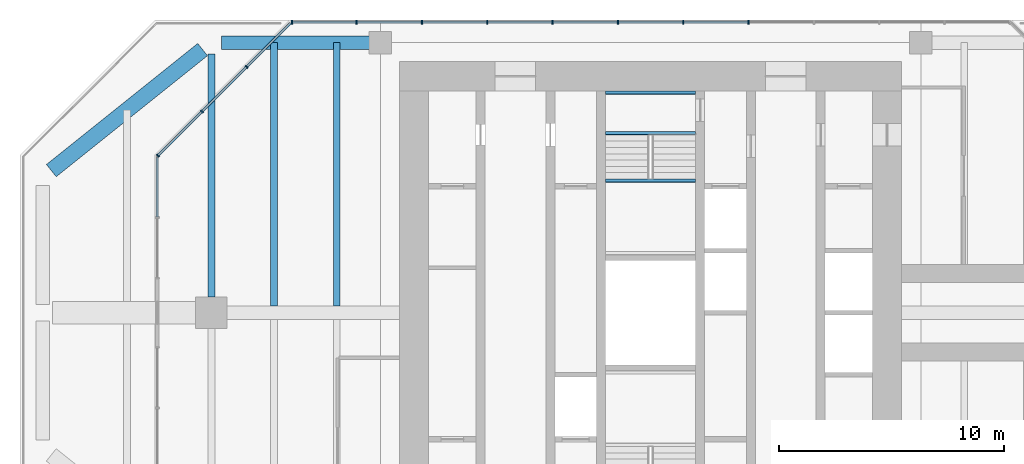
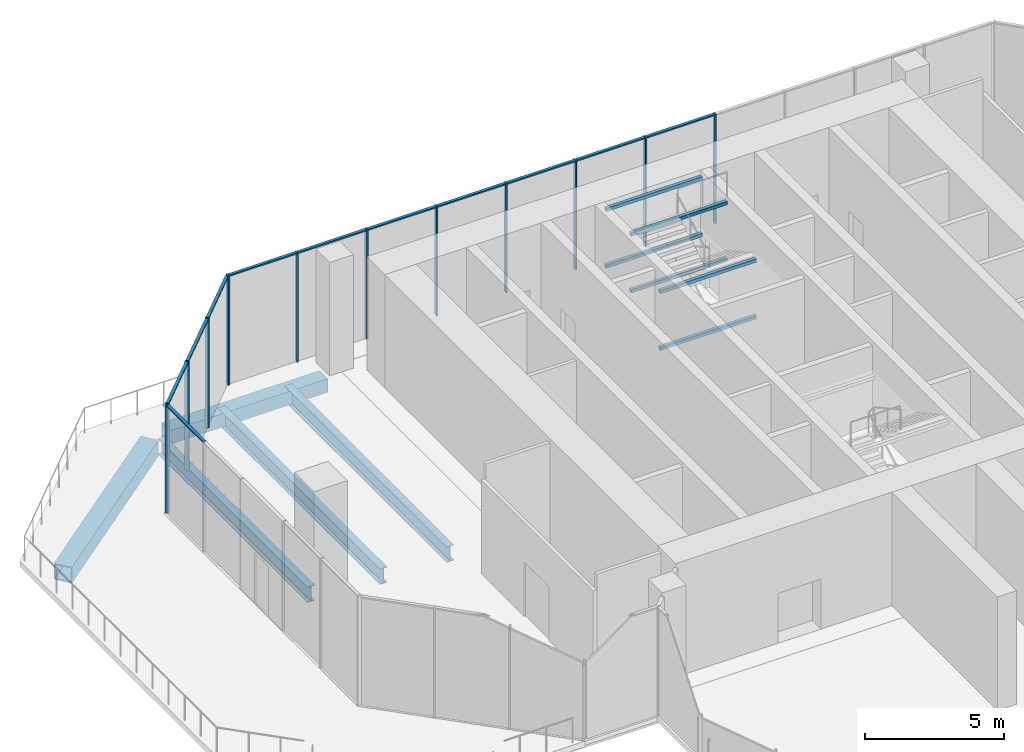
# One storey, part 6 of 13: 22 members, 11 beams, 3 elements without a shape of their own.
"""IFC4 building model written with IfcOpenShell, lengths in metres."""

import ifcopenshell
import ifcopenshell.guid

model = None  # the IFC model being written
_history = None  # IfcOwnerHistory: only IFC2X3 demands one
_inside = {}  # id of a spatial element -> (the spatial element, [elements in it])
_under = {}  # id of a project, library or spatial element -> (it, [spatial elements below it])
_declared = {}  # id of a project -> (the project, [libraries it declares])
_typed = {}  # id of a type object -> (the type object, [elements of that type])
_made_of = {}  # id of a material, layer set ... -> (it, [elements and type objects made of it])


def new_model(schema):
    """Start an empty IFC model of exactly this schema.

    Asked for "IFC4X3", IfcOpenShell would pick the latest addendum, in which some entities
    have other attributes; the version numbers below select the first issue.
    IFC2X3 requires an IfcOwnerHistory on every rooted entity: one is made here for all.
    """
    global model, _history
    if schema == "IFC4X3":
        model = ifcopenshell.file(schema_version=(4, 3, 0, 0))
    else:
        model = ifcopenshell.file(schema=schema)
    _inside.clear()
    _under.clear()
    _declared.clear()
    _typed.clear()
    _made_of.clear()
    _history = None
    if model.schema == "IFC2X3":
        org = make("IfcOrganization", Name="unknown")
        user = make(
            "IfcPersonAndOrganization",
            ThePerson=make("IfcPerson", FamilyName="unknown"),
            TheOrganization=org,
        )
        app = make(
            "IfcApplication",
            ApplicationDeveloper=org,
            Version="unknown",
            ApplicationFullName="unknown",
            ApplicationIdentifier="unknown",
        )
        _history = make(
            "IfcOwnerHistory",
            OwningUser=user,
            OwningApplication=app,
            ChangeAction="ADDED",
            CreationDate=0,
        )
    return model


def make(cls, **values):
    """One entity of the class cls with the attributes given. An attribute that is None is left unset."""
    return model.create_entity(
        cls, **{name: value for name, value in values.items() if value is not None}
    )


def rooted(cls, **values):
    """An entity with a GlobalId (a new one), such as an element, a storey or a relation."""
    return make(cls, GlobalId=ifcopenshell.guid.new(), OwnerHistory=_history, **values)


def si_unit(unit_type, name, prefix=None):
    """IfcSIUnit, for example si_unit("LENGTHUNIT", "METRE", prefix="MILLI")."""
    return make("IfcSIUnit", UnitType=unit_type, Prefix=prefix, Name=name)


def assignment(units):
    """IfcUnitAssignment: the units of a project."""
    return None if units is None else make("IfcUnitAssignment", Units=units)


def point(xyz):
    """IfcCartesianPoint."""
    return None if xyz is None else make("IfcCartesianPoint", Coordinates=xyz)


def direction(xyz):
    """IfcDirection."""
    return None if xyz is None else make("IfcDirection", DirectionRatios=xyz)


def frame(location, z_axis=None, x_axis=None):
    """IfcAxis2Placement3D, a coordinate frame: its origin and axes. An axis left out is left unset."""
    return make(
        "IfcAxis2Placement3D",
        Location=point(location),
        Axis=direction(z_axis),
        RefDirection=direction(x_axis),
    )


def frame_2d(location, x_axis=None):
    """IfcAxis2Placement2D, a coordinate frame in the plane: its origin and x axis."""
    return make(
        "IfcAxis2Placement2D", Location=point(location), RefDirection=direction(x_axis)
    )


def origin():
    """The frame at (0, 0, 0) with its axes left unset."""
    return frame((0.0, 0.0, 0.0))


def origin_2d():
    """The frame at (0, 0) in the plane with its x axis left unset."""
    return frame_2d((0.0, 0.0))


def place(relative_to, where):
    """IfcLocalPlacement: puts the frame where relative to a parent placement (None: the world)."""
    return make(
        "IfcLocalPlacement", PlacementRelTo=relative_to, RelativePlacement=where
    )


def context(
    kind, dimensions, precision=None, world=None, true_north=None, identifier=None
):
    """IfcGeometricRepresentationContext, for example the 3D "Model" context."""
    return make(
        "IfcGeometricRepresentationContext",
        ContextIdentifier=identifier,
        ContextType=kind,
        CoordinateSpaceDimension=dimensions,
        Precision=precision,
        WorldCoordinateSystem=world,
        TrueNorth=true_north,
    )


def subcontext(parent, identifier, kind, view, scale=None):
    """IfcGeometricRepresentationSubContext, for example "Body" below "Model"."""
    return make(
        "IfcGeometricRepresentationSubContext",
        ContextIdentifier=identifier,
        ContextType=kind,
        ParentContext=parent,
        TargetScale=scale,
        TargetView=view,
    )


def project(units=None, contexts=None):
    """IfcProject with its units and contexts."""
    return rooted(
        "IfcProject",
        Name="project",
        RepresentationContexts=contexts,
        UnitsInContext=assignment(units),
    )


def spatial(cls, under=None, at=None, **own):
    """A site, building, storey or space (cls), placed at a placement, below another one or the project."""
    s = rooted(cls, ObjectPlacement=at, **own)
    if under is not None:
        _under.setdefault(under.id(), (under, []))[1].append(s)
    return s


def profile(cls, at=None, kind="AREA", **sizes):
    """A parametric profile (cls). Its sizes go by their IFC names, for example OverallWidth=200.0."""
    return make(cls, ProfileType=kind, Position=at, **sizes)


def rectangle(**sizes):
    """IfcRectangleProfileDef."""
    return profile("IfcRectangleProfileDef", **sizes)


def hollow_rectangle(**sizes):
    """IfcRectangleHollowProfileDef."""
    return profile("IfcRectangleHollowProfileDef", **sizes)


def i_section(**sizes):
    """IfcIShapeProfileDef."""
    return profile("IfcIShapeProfileDef", **sizes)


def extrude(swept, where, along, depth):
    """IfcExtrudedAreaSolid: the profile swept, set in the frame where, extruded along a direction by depth."""
    return make(
        "IfcExtrudedAreaSolid",
        SweptArea=swept,
        Position=where,
        ExtrudedDirection=direction(along),
        Depth=depth,
    )


def shape(context_of_items, identifier, shape_type, items):
    """IfcShapeRepresentation: the items that make up one representation, for example the "Body"."""
    return make(
        "IfcShapeRepresentation",
        ContextOfItems=context_of_items,
        RepresentationIdentifier=identifier,
        RepresentationType=shape_type,
        Items=items,
    )


def material(Name=None, Category=None):
    """IfcMaterial."""
    return make("IfcMaterial", Name=Name, Category=Category)


def material_profile(
    of_material, cross_section, Name=None, Category=None, Priority=None
):
    """IfcMaterialProfile: a cross section and its material."""
    return make(
        "IfcMaterialProfile",
        Name=Name,
        Material=of_material,
        Profile=cross_section,
        Priority=Priority,
        Category=Category,
    )


def profile_set(profiles, Name=None, composite=None):
    """IfcMaterialProfileSet."""
    return make(
        "IfcMaterialProfileSet",
        Name=Name,
        MaterialProfiles=profiles,
        CompositeProfile=composite,
    )


def made_of(thing, what):
    """Note that an element or type object is made of a material, layer set ...; save() writes the relation."""
    if what is not None:
        _made_of.setdefault(what.id(), (what, []))[1].append(thing)
    return thing


def type_object(cls, material=None, **own):
    """A type object (cls), such as IfcWallType, which elements share."""
    return made_of(rooted(cls, **own), material)


def element(
    cls,
    number,
    at=None,
    inside=None,
    cuts=None,
    type_object=None,
    material=None,
    context=None,
    identifier="Body",
    shape_type=None,
    held_by="IfcProductDefinitionShape",
    body=None,
    shapes=None,
    **own,
):
    """One element of the class cls, such as IfcWall. Its Tag is "e" and its number.

    at: its placement. inside: the storey or other place that contains it. cuts: it is an
    opening in that element (IfcRelVoidsElement). A single representation is given by context,
    identifier, shape_type and body (its items); several are given by shapes. held_by: the class
    of the entity that holds the representations. save() writes the other relations.
    """
    e = rooted(cls, Tag="e%d" % number, ObjectPlacement=at, **own)
    if body is not None:
        shapes = [shape(context, identifier, shape_type, body)]
    if shapes is not None:
        e.Representation = make(held_by, Representations=shapes)
    if inside is not None:
        _inside.setdefault(inside.id(), (inside, []))[1].append(e)
    if cuts is not None:
        rooted(
            "IfcRelVoidsElement", RelatingBuildingElement=cuts, RelatedOpeningElement=e
        )
    if type_object is not None:
        _typed.setdefault(type_object.id(), (type_object, []))[1].append(e)
    return made_of(e, material)


def aggregate(whole, parts):
    """IfcRelAggregates: a whole, such as a stair, and the parts it consists of."""
    return rooted("IfcRelAggregates", RelatingObject=whole, RelatedObjects=parts)


def save(model, path):
    """Write the relations noted so far, then the file.

    IfcRelAggregates (storeys below a building ...), IfcRelContainedInSpatialStructure (elements
    in a storey), IfcRelDefinesByType, IfcRelAssociatesMaterial and IfcRelDeclares: one each for
    every whole, place, type object, material and project.
    """
    for whole, parts in _under.values():
        aggregate(whole, parts)
    for where, things in _inside.values():
        rooted(
            "IfcRelContainedInSpatialStructure",
            RelatedElements=things,
            RelatingStructure=where,
        )
    for kind, things in _typed.values():
        rooted("IfcRelDefinesByType", RelatedObjects=things, RelatingType=kind)
    for what, things in _made_of.values():
        rooted("IfcRelAssociatesMaterial", RelatedObjects=things, RelatingMaterial=what)
    for by, libraries in _declared.values():
        rooted("IfcRelDeclares", RelatingContext=by, RelatedDefinitions=libraries)
    model.write(path)


model = new_model("IFC4")

# Units and contexts
model_context = context("Model", 3, precision=1e-05, world=origin(), true_north=direction((0.0, 1.0)))
body_context = subcontext(model_context, "Body", "Model", "MODEL_VIEW")
ifc_project = project(units=[si_unit("LENGTHUNIT", "METRE"), si_unit("AREAUNIT", "SQUARE_METRE"), si_unit("VOLUMEUNIT", "CUBIC_METRE"), si_unit("PLANEANGLEUNIT", "RADIAN"), si_unit("MASSUNIT", "GRAM", prefix="KILO")], contexts=[model_context])

# Site, building, storey
site_placement = place(None, origin())
site = spatial("IfcSite", under=ifc_project, at=site_placement, CompositionType="ELEMENT")
building_placement = place(site_placement, origin())
building = spatial("IfcBuilding", under=site, at=building_placement, Name="Mizan Broadcast Tower", CompositionType="ELEMENT")
storey_placement = place(building_placement, frame((0.0, 0.0, 306.300048828125)))
storey = spatial("IfcBuildingStorey", under=building, at=storey_placement, Name="L73", CompositionType="ELEMENT", Elevation=306.300048828125)

# Beams
ifc_material_1 = material(Name="Steel S355", Category="steel")
ifc_material_profile_1 = material_profile(ifc_material_1, hollow_rectangle(XDim=0.60009765625, YDim=0.60009765625, WallThickness=0.0400390625, at=origin_2d()), Name="BOX 600x600x40")
ifc_profile_set_1 = profile_set([ifc_material_profile_1], Name="Steel S355")
beam_type_1 = type_object("IfcBeamType", Name="EDGE BEAM BOX 600x600x40", PredefinedType="SPANDREL", material=ifc_profile_set_1)
beam_1_placement = place(storey_placement, frame((-12.449951171875, 12.0, -0.550048828125), z_axis=(-1.0, 0.0, 0.0), x_axis=(0.0, -1.0, 0.0)))
element("IfcBeam", 1, at=beam_1_placement, inside=storey, type_object=beam_type_1, Name="Edge beam BOX 600x600x40 L73 west arm", PredefinedType="SPANDREL", context=body_context, shape_type="SweptSolid", body=[
    extrude(hollow_rectangle(XDim=0.60009765625, YDim=0.60009765625, WallThickness=0.0400390625, at=origin_2d()), origin(), (0.0, 0.0, 1.0), 6.60009765625),
])
ifc_material_2 = material(Name="Steel S355", Category="steel")
ifc_material_profile_2 = material_profile(ifc_material_2, hollow_rectangle(XDim=0.699951171875, YDim=0.699951171875, WallThickness=0.0400390625, at=origin_2d()), Name="BOX 700x700x40")
ifc_profile_set_2 = profile_set([ifc_material_profile_2], Name="Steel S355")
beam_type_2 = type_object("IfcBeamType", Name="EDGE BEAM BOX 700x700x40", PredefinedType="SPANDREL", material=ifc_profile_set_2)
beam_2_placement = place(storey_placement, frame((-19.890380859375, 11.687744140625, -0.60009765625), z_axis=(-0.780863273348, -0.62470196761, 0.0), x_axis=(0.62470196761, -0.780863273348, 0.0)))
element("IfcBeam", 2, at=beam_2_placement, inside=storey, type_object=beam_type_2, Name="Edge beam BOX 700x700x40 L73 west arm", PredefinedType="SPANDREL", context=body_context, shape_type="SweptSolid", body=[
    extrude(hollow_rectangle(XDim=0.699951171875, YDim=0.699951171875, WallThickness=0.0400390625, at=origin_2d()), origin(), (0.0, 0.0, 1.0), 8.60498046875),
])
ifc_material_3 = material(Name="Steel S355", Category="steel")
ifc_material_profile_3 = material_profile(ifc_material_3, i_section(OverallWidth=0.300048828125, OverallDepth=0.68994140625, WebThickness=0.014404296875, FlangeThickness=0.027099609375, FilletRadius=0.027099609375, at=origin_2d()), Name="HEA 700")
ifc_profile_set_3 = profile_set([ifc_material_profile_3], Name="Steel S355")
beam_type_3 = type_object("IfcBeamType", Name="GIRDER HEA 700", PredefinedType="BEAM", material=ifc_profile_set_3)
beam_3_placement = place(storey_placement, frame((-19.5, 11.5, -0.594970703125), z_axis=(0.0, -1.0, 0.0), x_axis=(1.0, 0.0, 0.0)))
element("IfcBeam", 3, at=beam_3_placement, inside=storey, type_object=beam_type_3, Name="Girder HEA 700 L73 west arm", PredefinedType="BEAM", context=body_context, shape_type="SweptSolid", body=[
    extrude(i_section(OverallWidth=0.300048828125, OverallDepth=0.68994140625, WebThickness=0.014404296875, FlangeThickness=0.027099609375, FilletRadius=0.027099609375, at=origin_2d()), origin(), (0.0, 0.0, 1.0), 10.800048828125),
])

# Curtain wall, members
ifc_material_4 = material(Name="Aluminium framed glazing", Category="aluminium")
curtain_wall_type = type_object("IfcCurtainWallType", Name="LANTERN", PredefinedType="USERDEFINED", material=ifc_material_4)
curtain_wall_1_placement = place(storey_placement, origin())
curtain_wall_1 = element("IfcCurtainWall", 4, at=curtain_wall_1_placement, inside=storey, type_object=curtain_wall_type, Name="Lantern L73 N end", ObjectType="LANTERN", PredefinedType="USERDEFINED")
ifc_material_5 = material(Name="Aluminium, pale anodised", Category="aluminium")
ifc_material_profile_4 = material_profile(ifc_material_5, rectangle(XDim=0.159912109375, YDim=0.06005859375, at=origin_2d()), Name="MULLION 160x60")
ifc_profile_set_4 = profile_set([ifc_material_profile_4], Name="Aluminium, pale anodised")
member_type_1 = type_object("IfcMemberType", Name="INNER SKIN MULLION 60x160", PredefinedType="MULLION", material=ifc_profile_set_4)
member_1_placement = place(storey_placement, frame((4.352294921875, 12.89990234375, 0.0), z_axis=(0.0, 0.0, 1.0), x_axis=(0.0, -1.0, 0.0)))
member_1 = element("IfcMember", 5, at=member_1_placement, type_object=member_type_1, Name="Lantern L73 N end mullion 5", PredefinedType="MULLION", context=body_context, shape_type="SweptSolid", body=[
    extrude(rectangle(XDim=0.159912109375, YDim=0.06005859375, at=origin_2d()), origin(), (0.0, 0.0, 1.0), 4.820068359375),
])
member_2_placement = place(storey_placement, frame((1.45068359375, 12.89990234375, 0.0), z_axis=(0.0, 0.0, 1.0), x_axis=(0.0, -1.0, 0.0)))
member_2 = element("IfcMember", 6, at=member_2_placement, type_object=member_type_1, Name="Lantern L73 N end mullion 6", PredefinedType="MULLION", context=body_context, shape_type="SweptSolid", body=[
    extrude(rectangle(XDim=0.159912109375, YDim=0.06005859375, at=origin_2d()), origin(), (0.0, 0.0, 1.0), 4.820068359375),
])
member_3_placement = place(storey_placement, frame((-1.45068359375, 12.89990234375, 0.0), z_axis=(0.0, 0.0, 1.0), x_axis=(0.0, -1.0, 0.0)))
member_3 = element("IfcMember", 7, at=member_3_placement, type_object=member_type_1, Name="Lantern L73 N end mullion 7", PredefinedType="MULLION", context=body_context, shape_type="SweptSolid", body=[
    extrude(rectangle(XDim=0.159912109375, YDim=0.06005859375, at=origin_2d()), origin(), (0.0, 0.0, 1.0), 4.820068359375),
])
member_4_placement = place(storey_placement, frame((-4.352294921875, 12.89990234375, 0.0), z_axis=(0.0, 0.0, 1.0), x_axis=(0.0, -1.0, 0.0)))
member_4 = element("IfcMember", 8, at=member_4_placement, type_object=member_type_1, Name="Lantern L73 N end mullion 8", PredefinedType="MULLION", context=body_context, shape_type="SweptSolid", body=[
    extrude(rectangle(XDim=0.159912109375, YDim=0.06005859375, at=origin_2d()), origin(), (0.0, 0.0, 1.0), 4.820068359375),
])
member_5_placement = place(storey_placement, frame((-7.25390625, 12.89990234375, 0.0), z_axis=(0.0, 0.0, 1.0), x_axis=(0.0, -1.0, 0.0)))
member_5 = element("IfcMember", 9, at=member_5_placement, type_object=member_type_1, Name="Lantern L73 N end mullion 9", PredefinedType="MULLION", context=body_context, shape_type="SweptSolid", body=[
    extrude(rectangle(XDim=0.159912109375, YDim=0.06005859375, at=origin_2d()), origin(), (0.0, 0.0, 1.0), 4.820068359375),
])
member_6_placement = place(storey_placement, frame((-10.155517578125, 12.89990234375, 0.0), z_axis=(0.0, 0.0, 1.0), x_axis=(0.0, -1.0, 0.0)))
member_6 = element("IfcMember", 10, at=member_6_placement, type_object=member_type_1, Name="Lantern L73 N end mullion 10", PredefinedType="MULLION", context=body_context, shape_type="SweptSolid", body=[
    extrude(rectangle(XDim=0.159912109375, YDim=0.06005859375, at=origin_2d()), origin(), (0.0, 0.0, 1.0), 4.820068359375),
])
member_7_placement = place(storey_placement, frame((-13.05712890625, 12.89990234375, 0.0), z_axis=(0.0, 0.0, 1.0), x_axis=(0.0, -1.0, 0.0)))
member_7 = element("IfcMember", 11, at=member_7_placement, type_object=member_type_1, Name="Lantern L73 N end mullion 11", PredefinedType="MULLION", context=body_context, shape_type="SweptSolid", body=[
    extrude(rectangle(XDim=0.159912109375, YDim=0.06005859375, at=origin_2d()), origin(), (0.0, 0.0, 1.0), 4.820068359375),
])
member_8_placement = place(storey_placement, frame((-15.928466796875, 12.89990234375, 0.0), z_axis=(0.0, 0.0, 1.0), x_axis=(0.0, -1.0, 0.0)))
member_8 = element("IfcMember", 12, at=member_8_placement, type_object=member_type_1, Name="Lantern L73 N end mullion 12", PredefinedType="MULLION", context=body_context, shape_type="SweptSolid", body=[
    extrude(rectangle(XDim=0.159912109375, YDim=0.06005859375, at=origin_2d()), origin(), (0.0, 0.0, 1.0), 4.820068359375),
])

curtain_wall_2_placement = place(storey_placement, origin())
curtain_wall_2 = element("IfcCurtainWall", 13, at=curtain_wall_2_placement, inside=storey, type_object=curtain_wall_type, Name="Lantern L73 W chamfer", ObjectType="LANTERN", PredefinedType="USERDEFINED")
member_9_placement = place(storey_placement, frame((-17.93896484375, 10.91943359375, 0.0), z_axis=(0.0, 0.0, 1.0), x_axis=(0.707106781187, -0.707106781187, 0.0)))
member_9 = element("IfcMember", 14, at=member_9_placement, type_object=member_type_1, Name="Lantern L73 W chamfer mullion 2", PredefinedType="MULLION", context=body_context, shape_type="SweptSolid", body=[
    extrude(rectangle(XDim=0.159912109375, YDim=0.06005859375, at=origin_2d()), origin(), (0.0, 0.0, 1.0), 4.820068359375),
])
member_10_placement = place(storey_placement, frame((-19.91943359375, 8.93896484375, 0.0), z_axis=(0.0, 0.0, 1.0), x_axis=(0.707106781187, -0.707106781187, 0.0)))
member_10 = element("IfcMember", 15, at=member_10_placement, type_object=member_type_1, Name="Lantern L73 W chamfer mullion 3", PredefinedType="MULLION", context=body_context, shape_type="SweptSolid", body=[
    extrude(rectangle(XDim=0.159912109375, YDim=0.06005859375, at=origin_2d()), origin(), (0.0, 0.0, 1.0), 4.820068359375),
])
member_11_placement = place(storey_placement, frame((-21.87890625, 6.979736328125, 0.0), z_axis=(0.0, 0.0, 1.0), x_axis=(0.707106781187, -0.707106781187, 0.0)))
member_11 = element("IfcMember", 16, at=member_11_placement, type_object=member_type_1, Name="Lantern L73 W chamfer mullion 4", PredefinedType="MULLION", context=body_context, shape_type="SweptSolid", body=[
    extrude(rectangle(XDim=0.159912109375, YDim=0.06005859375, at=origin_2d()), origin(), (0.0, 0.0, 1.0), 4.820068359375),
])

# Member
ifc_material_6 = material(Name="Aluminium, pale anodised", Category="aluminium")
ifc_material_profile_5 = material_profile(ifc_material_6, rectangle(XDim=0.1201171875, YDim=0.06005859375, at=origin_2d()), Name="TRANSOM 120x60")
ifc_profile_set_5 = profile_set([ifc_material_profile_5], Name="Aluminium, pale anodised")
member_type_2 = type_object("IfcMemberType", Name="INNER SKIN TRANSOM 60x120", PredefinedType="USERDEFINED", material=ifc_profile_set_5)
member_12_placement = place(storey_placement, frame((4.322265625, 12.89990234375, 4.7900390625), z_axis=(-1.0, 0.0, 0.0), x_axis=(0.0, -1.0, 0.0)))
member_12 = element("IfcMember", 17, at=member_12_placement, type_object=member_type_2, Name="Lantern L73 N end transom 5.1", ObjectType="TRANSOM", PredefinedType="USERDEFINED", context=body_context, shape_type="SweptSolid", body=[
    extrude(rectangle(XDim=0.1201171875, YDim=0.06005859375, at=origin_2d()), origin(), (0.0, 0.0, 1.0), 2.841552734375),
])

member_13_placement = place(storey_placement, frame((1.4208984375, 12.89990234375, 4.7900390625), z_axis=(-1.0, 0.0, 0.0), x_axis=(0.0, -1.0, 0.0)))
member_13 = element("IfcMember", 18, at=member_13_placement, type_object=member_type_2, Name="Lantern L73 N end transom 6.1", ObjectType="TRANSOM", PredefinedType="USERDEFINED", context=body_context, shape_type="SweptSolid", body=[
    extrude(rectangle(XDim=0.1201171875, YDim=0.06005859375, at=origin_2d()), origin(), (0.0, 0.0, 1.0), 2.841796875),
])

member_14_placement = place(storey_placement, frame((-1.480712890625, 12.89990234375, 4.7900390625), z_axis=(-1.0, 0.0, 0.0), x_axis=(0.0, -1.0, 0.0)))
member_14 = element("IfcMember", 19, at=member_14_placement, type_object=member_type_2, Name="Lantern L73 N end transom 7.1", ObjectType="TRANSOM", PredefinedType="USERDEFINED", context=body_context, shape_type="SweptSolid", body=[
    extrude(rectangle(XDim=0.1201171875, YDim=0.06005859375, at=origin_2d()), origin(), (0.0, 0.0, 1.0), 2.841552734375),
])

member_15_placement = place(storey_placement, frame((-4.38232421875, 12.89990234375, 4.7900390625), z_axis=(-1.0, 0.0, 0.0), x_axis=(0.0, -1.0, 0.0)))
member_15 = element("IfcMember", 20, at=member_15_placement, type_object=member_type_2, Name="Lantern L73 N end transom 8.1", ObjectType="TRANSOM", PredefinedType="USERDEFINED", context=body_context, shape_type="SweptSolid", body=[
    extrude(rectangle(XDim=0.1201171875, YDim=0.06005859375, at=origin_2d()), origin(), (0.0, 0.0, 1.0), 2.841552734375),
])

member_16_placement = place(storey_placement, frame((-7.283935546875, 12.89990234375, 4.7900390625), z_axis=(-1.0, 0.0, 0.0), x_axis=(0.0, -1.0, 0.0)))
member_16 = element("IfcMember", 21, at=member_16_placement, type_object=member_type_2, Name="Lantern L73 N end transom 9.1", ObjectType="TRANSOM", PredefinedType="USERDEFINED", context=body_context, shape_type="SweptSolid", body=[
    extrude(rectangle(XDim=0.1201171875, YDim=0.06005859375, at=origin_2d()), origin(), (0.0, 0.0, 1.0), 2.841552734375),
])

member_17_placement = place(storey_placement, frame((-10.185546875, 12.89990234375, 4.7900390625), z_axis=(-1.0, 0.0, 0.0), x_axis=(0.0, -1.0, 0.0)))
member_17 = element("IfcMember", 22, at=member_17_placement, type_object=member_type_2, Name="Lantern L73 N end transom 10.1", ObjectType="TRANSOM", PredefinedType="USERDEFINED", context=body_context, shape_type="SweptSolid", body=[
    extrude(rectangle(XDim=0.1201171875, YDim=0.06005859375, at=origin_2d()), origin(), (0.0, 0.0, 1.0), 2.841552734375),
])

member_18_placement = place(storey_placement, frame((-13.0869140625, 12.89990234375, 4.7900390625), z_axis=(-1.0, 0.0, 0.0), x_axis=(0.0, -1.0, 0.0)))
member_18 = element("IfcMember", 23, at=member_18_placement, type_object=member_type_2, Name="Lantern L73 N end transom 11.1", ObjectType="TRANSOM", PredefinedType="USERDEFINED", context=body_context, shape_type="SweptSolid", body=[
    extrude(rectangle(XDim=0.1201171875, YDim=0.06005859375, at=origin_2d()), origin(), (0.0, 0.0, 1.0), 2.811767578125),
])

aggregate(curtain_wall_1, [member_1, member_2, member_3, member_4, member_5, member_6, member_7, member_8, member_12, member_13, member_14, member_15, member_16, member_17, member_18])

member_19_placement = place(storey_placement, frame((-16.0009765625, 12.857666015625, 4.7900390625), z_axis=(-0.707061749709, -0.707151809797, 0.0), x_axis=(0.707151809797, -0.707061749709, 0.0)))
member_19 = element("IfcMember", 24, at=member_19_placement, type_object=member_type_2, Name="Lantern L73 W chamfer transom 1.1", ObjectType="TRANSOM", PredefinedType="USERDEFINED", context=body_context, shape_type="SweptSolid", body=[
    extrude(rectangle(XDim=0.1201171875, YDim=0.06005859375, at=origin_2d()), origin(), (0.0, 0.0, 1.0), 2.7109375),
])

member_20_placement = place(storey_placement, frame((-17.960205078125, 10.898193359375, 4.7900390625), z_axis=(-0.707106781187, -0.707106781187, 0.0), x_axis=(0.707106781187, -0.707106781187, 0.0)))
member_20 = element("IfcMember", 25, at=member_20_placement, type_object=member_type_2, Name="Lantern L73 W chamfer transom 2.1", ObjectType="TRANSOM", PredefinedType="USERDEFINED", context=body_context, shape_type="SweptSolid", body=[
    extrude(rectangle(XDim=0.1201171875, YDim=0.06005859375, at=origin_2d()), origin(), (0.0, 0.0, 1.0), 2.74072265625),
])

member_21_placement = place(storey_placement, frame((-19.940673828125, 8.917724609375, 4.7900390625), z_axis=(-0.707151809797, -0.707061749709, 0.0), x_axis=(0.707061749709, -0.707151809797, 0.0)))
member_21 = element("IfcMember", 26, at=member_21_placement, type_object=member_type_2, Name="Lantern L73 W chamfer transom 3.1", ObjectType="TRANSOM", PredefinedType="USERDEFINED", context=body_context, shape_type="SweptSolid", body=[
    extrude(rectangle(XDim=0.1201171875, YDim=0.06005859375, at=origin_2d()), origin(), (0.0, 0.0, 1.0), 2.7109375),
])

aggregate(curtain_wall_2, [member_9, member_10, member_11, member_19, member_20, member_21])

# Curtain wall, member
curtain_wall_3_placement = place(storey_placement, origin())
curtain_wall_3 = element("IfcCurtainWall", 27, at=curtain_wall_3_placement, inside=storey, type_object=curtain_wall_type, Name="Lantern L73 W end", ObjectType="LANTERN", PredefinedType="USERDEFINED")
member_22_placement = place(storey_placement, frame((-21.89990234375, 6.898681640625, 4.7900390625), z_axis=(0.0, -1.0, 0.0), x_axis=(1.0, 0.0, 0.0)))
member_22 = element("IfcMember", 28, at=member_22_placement, type_object=member_type_2, Name="Lantern L73 W end transom 1.1", ObjectType="TRANSOM", PredefinedType="USERDEFINED", context=body_context, shape_type="SweptSolid", body=[
    extrude(rectangle(XDim=0.1201171875, YDim=0.06005859375, at=origin_2d()), origin(), (0.0, 0.0, 1.0), 2.639404296875),
])
aggregate(curtain_wall_3, [member_22])

# Beams
ifc_material_7 = material(Name="Steel S355", Category="steel")
ifc_material_profile_6 = material_profile(ifc_material_7, hollow_rectangle(XDim=0.14990234375, YDim=0.14990234375, WallThickness=0.008056640625, InnerFilletRadius=0.008056640625, OuterFilletRadius=0.011962890625, at=origin_2d()), Name="SHS 150x150x8")
ifc_profile_set_6 = profile_set([ifc_material_profile_6], Name="Steel S355")
beam_type_4 = type_object("IfcBeamType", Name="LANDING TRIMMER SHS 150x150x8", PredefinedType="BEAM", material=ifc_profile_set_6)
for number, where, z_axis, x_axis, name in (
    (29, (2.0, 5.864990234375, 0.974853515625), (-1.0, 0.0, 0.0), (0.0, -1.0, 0.0), "Stair B landing trimmer L73"),
    (30, (2.0, 9.77490234375, 2.224853515625), (-1.0, 0.0, 0.0), (0.0, -1.0, 0.0), "Stair B landing trimmer L73"),
    (31, (2.0, 7.97509765625, 2.224853515625), (-1.0, 0.0, 0.0), (0.0, -1.0, 0.0), "Stair B landing trimmer L73"),
    (32, (2.0, 5.864990234375, 3.474853515625), (-1.0, 0.0, 0.0), (0.0, -1.0, 0.0), "Stair B landing trimmer L73"),
    (33, (2.0, 9.77490234375, 4.724853515625), (-1.0, 0.0, 0.0), (0.0, -1.0, 0.0), "Stair B landing trimmer L73"),
    (34, (2.0, 7.97509765625, 4.724853515625), (-1.0, 0.0, 0.0), (0.0, -1.0, 0.0), "Stair B landing trimmer L73"),
):
    element("IfcBeam", number, at=place(storey_placement, frame(where, z_axis=z_axis, x_axis=x_axis)), inside=storey, type_object=beam_type_4, Name=name, PredefinedType="BEAM", context=body_context, shape_type="SweptSolid", body=[
        extrude(hollow_rectangle(XDim=0.14990234375, YDim=0.14990234375, WallThickness=0.008056640625, InnerFilletRadius=0.008056640625, OuterFilletRadius=0.011962890625, at=origin_2d()), origin(), (0.0, 0.0, 1.0), 4.0),
    ])
ifc_material_8 = material(Name="Steel S355", Category="steel")
ifc_material_profile_7 = material_profile(ifc_material_8, i_section(OverallWidth=0.300048828125, OverallDepth=0.68994140625, WebThickness=0.014404296875, FlangeThickness=0.027099609375, FilletRadius=0.027099609375, at=origin_2d()), Name="HEA 700")
ifc_profile_set_7 = profile_set([ifc_material_profile_7], Name="Steel S355")
beam_type_5 = type_object("IfcBeamType", Name="SECONDARY BEAM HEA 700", PredefinedType="JOIST", material=ifc_profile_set_7)
for number, where, z_axis, x_axis, name in (
    (35, (-13.933349609375, 12.0, -0.525146484375), (0.0, -1.0, 0.0), (1.0, 0.0, 0.0), "Secondary beam HEA 700 L73 west arm"),
    (36, (-16.716552734375, 12.0, -0.525146484375), (0.0, -1.0, 0.0), (1.0, 0.0, 0.0), "Secondary beam HEA 700 L73 west arm"),
):
    element("IfcBeam", number, at=place(storey_placement, frame(where, z_axis=z_axis, x_axis=x_axis)), inside=storey, type_object=beam_type_5, Name=name, PredefinedType="JOIST", context=body_context, shape_type="SweptSolid", body=[
        extrude(i_section(OverallWidth=0.300048828125, OverallDepth=0.68994140625, WebThickness=0.014404296875, FlangeThickness=0.027099609375, FilletRadius=0.027099609375, at=origin_2d()), origin(), (0.0, 0.0, 1.0), 11.699951171875),
    ])

save(model, "model.ifc")
